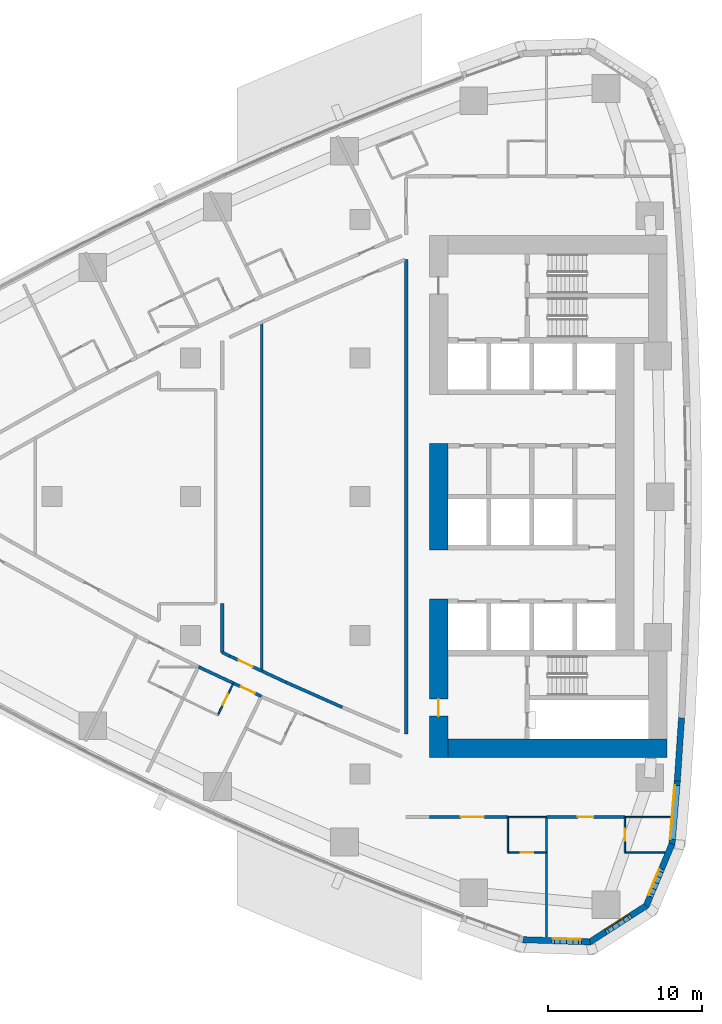
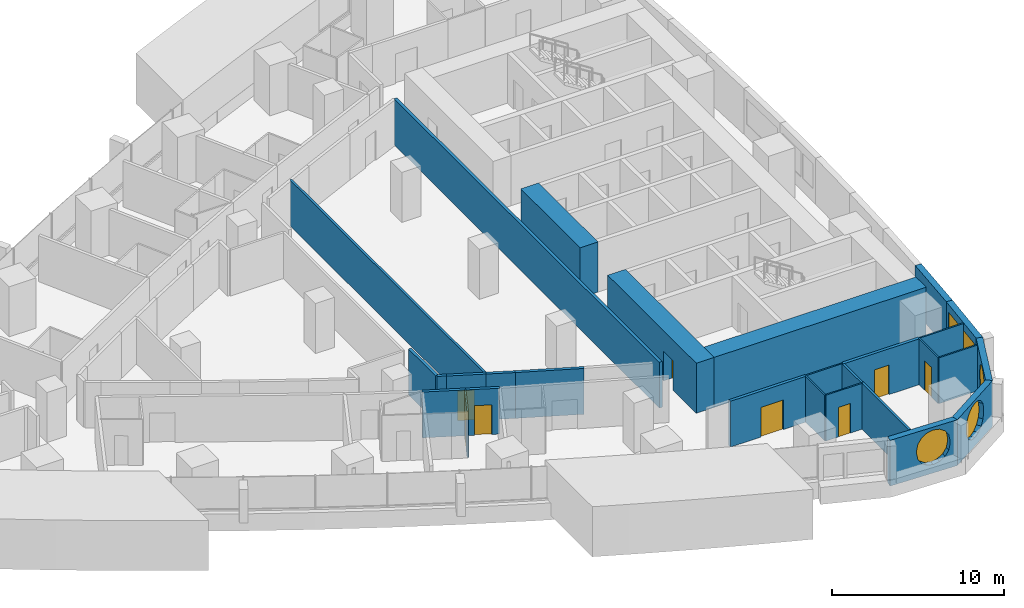
# One storey, part 10 of 19: 26 walls, 8 doors, 4 windows, 12 openings.
"""IFC4 building model written with IfcOpenShell, lengths in metres."""

from ifc_helpers import new_model, si_unit, direction, frame, frame_2d, origin, place, context, subcontext, project, spatial, polyline, rectangle, outline, extrude, material, layer, layer_set, type_object, element, fill, save


model = new_model("IFC4")

# Units and contexts
model_context = context("Model", 3, precision=1e-05, world=origin(), true_north=direction((0.0, 1.0)))
body_context = subcontext(model_context, "Body", "Model", "MODEL_VIEW")
ifc_project = project(units=[si_unit("LENGTHUNIT", "METRE"), si_unit("AREAUNIT", "SQUARE_METRE"), si_unit("VOLUMEUNIT", "CUBIC_METRE"), si_unit("PLANEANGLEUNIT", "RADIAN"), si_unit("MASSUNIT", "GRAM", prefix="KILO")], contexts=[model_context])

# Site, building, storey
site_placement = place(None, origin())
site = spatial("IfcSite", under=ifc_project, at=site_placement, CompositionType="ELEMENT")
building_placement = place(site_placement, origin())
building = spatial("IfcBuilding", under=site, at=building_placement, Name="Ostrand Prow Hotel Tower", CompositionType="ELEMENT")
storey_placement = place(building_placement, frame((0.0, 0.0, 39.60009765625)))
storey = spatial("IfcBuildingStorey", under=building, at=storey_placement, Name="L07", CompositionType="ELEMENT", Elevation=39.60009765625)

# Wall
ifc_material_1 = material(Name="Concrete C80/95", Category="concrete")
ifc_layer_1 = layer(ifc_material_1, 1.199951171875)
ifc_layer_set_1 = layer_set([ifc_layer_1], Name="Concrete C80/95")
wall_type_1 = type_object("IfcWallType", Name="Core wall 1200 C80/95", PredefinedType="SHEAR", material=ifc_layer_set_1)
wall_1_placement = place(storey_placement, frame((50.10009765625, -3.449951171875, 0.0), z_axis=(0.0, 0.0, 1.0), x_axis=(0.0, 1.0, 0.0)))
element("IfcWall", 1, at=wall_1_placement, inside=storey, type_object=wall_type_1, Name="Core wall CW-W-C", PredefinedType="SHEAR", context=body_context, shape_type="SweptSolid", body=[
    extrude(rectangle(XDim=6.89990234375, YDim=1.199951171875, at=frame_2d((3.449951171875, 0.0))), origin(), (0.0, 0.0, 1.0), 3.5498046875),
])

# Wall, opening, door
wall_2_placement = place(storey_placement, frame((50.10009765625, -16.949951171875, 0.0), z_axis=(0.0, 0.0, 1.0), x_axis=(0.0, 1.0, 0.0)))
wall_2 = element("IfcWall", 2, at=wall_2_placement, inside=storey, type_object=wall_type_1, Name="Core wall CW-W-S", PredefinedType="SHEAR", context=body_context, shape_type="SweptSolid", body=[
    extrude(rectangle(XDim=10.300048828125, YDim=1.199951171875, at=frame_2d((5.14990234375, 0.0))), origin(), (0.0, 0.0, 1.0), 3.5498046875),
])
opening_1_placement = place(wall_2_placement, frame((2.699951171875, 0.0, 0.0)))
opening_1 = element("IfcOpeningElement", 3, at=opening_1_placement, cuts=wall_2, Name="Opening FD1", PredefinedType="OPENING", context=body_context, shape_type="SweptSolid", body=[
    extrude(rectangle(XDim=1.10009765625, YDim=2.10009765625, at=frame_2d((0.550048828125, 1.050048828125))), frame((0.0, 0.60986328125, 0.0), z_axis=(0.0, -1.0, 0.0), x_axis=(1.0, 0.0, 0.0)), (0.0, 0.0, 1.0), 1.219970703125),
])
ifc_material_2 = material(Name="Steel fire door", Category="steel")
door_type_1 = type_object("IfcDoorType", Name="Fire door 1100 EI120", OperationType="SINGLE_SWING_RIGHT", PredefinedType="DOOR", material=ifc_material_2)
door_1_placement = place(opening_1_placement, origin())
door_1 = element("IfcDoor", 4, at=door_1_placement, inside=storey, type_object=door_type_1, Name="FIRE DOOR", OperationType="SINGLE_SWING_RIGHT", OverallHeight=2.10009765625, OverallWidth=1.10009765625, PredefinedType="DOOR", context=body_context, shape_type="SweptSolid", body=[
    extrude(rectangle(XDim=1.10009765625, YDim=2.10009765625, at=frame_2d((0.550048828125, 1.050048828125))), frame((0.0, 0.02490234375, 0.0), z_axis=(0.0, -1.0, 0.0), x_axis=(1.0, 0.0, 0.0)), (0.0, 0.0, 1.0), 0.050048828125),
])
fill(opening_1, door_1)

# Walls
wall_3_placement = place(storey_placement, frame((50.699951171875, -16.35009765625, 0.0), z_axis=(0.0, 0.0, 1.0), x_axis=(1.0, 0.0, 0.0)))
element("IfcWall", 5, at=wall_3_placement, inside=storey, type_object=wall_type_1, Name="Core wall CW-S", PredefinedType="SHEAR", context=body_context, shape_type="SweptSolid", body=[
    extrude(rectangle(XDim=14.219970703125, YDim=1.199951171875, at=frame_2d((7.10986328125, 0.0))), origin(), (0.0, 0.0, 1.0), 3.5498046875),
])
ifc_material_3 = material(Name="Plasterboard partition")
ifc_layer_2 = layer(ifc_material_3, 0.10009765625)
ifc_layer_set_2 = layer_set([ifc_layer_2], Name="Plasterboard partition")
wall_type_2 = type_object("IfcWallType", Name="Partition 100 bathroom wall", PredefinedType="PARTITIONING", material=ifc_layer_set_2)
wall_4_placement = place(storey_placement, frame((54.601806640625, -23.10009765625, 0.0), z_axis=(0.0, 0.0, 1.0), x_axis=(0.0, 1.0, 0.0)))
element("IfcWall", 6, at=wall_4_placement, inside=storey, type_object=wall_type_2, Name="BATHROOM WALL", PredefinedType="PARTITIONING", context=body_context, shape_type="SweptSolid", body=[
    extrude(rectangle(XDim=2.300048828125, YDim=0.10009765625, at=frame_2d((1.14990234375, 0.0))), origin(), (0.0, 0.0, 1.0), 3.25),
])

# Wall, opening, door
wall_5_placement = place(storey_placement, frame((57.101806640625, -23.10009765625, 0.0), z_axis=(0.0, 0.0, 1.0), x_axis=(-1.0, 0.0, 0.0)))
wall_5 = element("IfcWall", 7, at=wall_5_placement, inside=storey, type_object=wall_type_2, Name="BATHROOM WALL", PredefinedType="PARTITIONING", context=body_context, shape_type="SweptSolid", body=[
    extrude(rectangle(XDim=2.5, YDim=0.10009765625, at=frame_2d((1.25, 0.0))), origin(), (0.0, 0.0, 1.0), 3.25),
])
opening_2_placement = place(wall_5_placement, frame((0.85009765625, 0.0, 0.0)))
opening_2 = element("IfcOpeningElement", 8, at=opening_2_placement, cuts=wall_5, Name="Opening D2", PredefinedType="OPENING", context=body_context, shape_type="SweptSolid", body=[
    extrude(rectangle(XDim=0.800048828125, YDim=2.10009765625, at=frame_2d((0.39990234375, 1.050048828125))), frame((0.0, 0.06005859375, 0.0), z_axis=(0.0, -1.0, 0.0), x_axis=(1.0, 0.0, 0.0)), (0.0, 0.0, 1.0), 0.1201171875),
])
ifc_material_4 = material(Name="Timber door leaf", Category="wood")
door_type_2 = type_object("IfcDoorType", Name="Bathroom door 800", OperationType="SINGLE_SWING_LEFT", PredefinedType="DOOR", material=ifc_material_4)
door_2_placement = place(opening_2_placement, origin())
door_2 = element("IfcDoor", 9, at=door_2_placement, inside=storey, type_object=door_type_2, Name="DOOR", OperationType="SINGLE_SWING_LEFT", OverallHeight=2.10009765625, OverallWidth=0.800048828125, PredefinedType="DOOR", context=body_context, shape_type="SweptSolid", body=[
    extrude(rectangle(XDim=0.800048828125, YDim=2.10009765625, at=frame_2d((0.39990234375, 1.050048828125))), frame((0.0, 0.02490234375, 0.0), z_axis=(0.0, -1.0, 0.0), x_axis=(1.0, 0.0, 0.0)), (0.0, 0.0, 1.0), 0.050048828125),
])
fill(opening_2, door_2)

# Wall
wall_6_placement = place(storey_placement, frame((64.781494140625, -23.10009765625, 0.0), z_axis=(0.0, 0.0, 1.0), x_axis=(-1.0, 0.0, 0.0)))
element("IfcWall", 10, at=wall_6_placement, inside=storey, type_object=wall_type_2, Name="BATHROOM WALL", PredefinedType="PARTITIONING", context=body_context, shape_type="SweptSolid", body=[
    extrude(rectangle(XDim=2.578125, YDim=0.10009765625, at=frame_2d((1.2890625, 0.0))), origin(), (0.0, 0.0, 1.0), 3.25),
])

# Wall, opening, door
wall_7_placement = place(storey_placement, frame((62.203369140625, -23.10009765625, 0.0), z_axis=(0.0, 0.0, 1.0), x_axis=(0.0, 1.0, 0.0)))
wall_7 = element("IfcWall", 11, at=wall_7_placement, inside=storey, type_object=wall_type_2, Name="BATHROOM WALL", PredefinedType="PARTITIONING", context=body_context, shape_type="SweptSolid", body=[
    extrude(rectangle(XDim=2.300048828125, YDim=0.10009765625, at=frame_2d((1.14990234375, 0.0))), origin(), (0.0, 0.0, 1.0), 3.25),
])
opening_3_placement = place(wall_7_placement, frame((0.75, 0.0, 0.0)))
opening_3 = element("IfcOpeningElement", 12, at=opening_3_placement, cuts=wall_7, Name="Opening D2", PredefinedType="OPENING", context=body_context, shape_type="SweptSolid", body=[
    extrude(rectangle(XDim=0.800048828125, YDim=2.10009765625, at=frame_2d((0.39990234375, 1.050048828125))), frame((0.0, 0.06005859375, 0.0), z_axis=(0.0, -1.0, 0.0), x_axis=(1.0, 0.0, 0.0)), (0.0, 0.0, 1.0), 0.1201171875),
])
door_3_placement = place(opening_3_placement, origin())
door_3 = element("IfcDoor", 13, at=door_3_placement, inside=storey, type_object=door_type_2, Name="DOOR", OperationType="SINGLE_SWING_LEFT", OverallHeight=2.10009765625, OverallWidth=0.800048828125, PredefinedType="DOOR", context=body_context, shape_type="SweptSolid", body=[
    extrude(rectangle(XDim=0.800048828125, YDim=2.10009765625, at=frame_2d((0.39990234375, 1.050048828125))), frame((0.0, 0.02490234375, 0.0), z_axis=(0.0, -1.0, 0.0), x_axis=(1.0, 0.0, 0.0)), (0.0, 0.0, 1.0), 0.050048828125),
])
fill(opening_3, door_3)

wall_8_placement = place(storey_placement, frame((36.764892578125, -12.135986328125, 0.0), z_axis=(0.0, 0.0, 1.0), x_axis=(-0.438229314017, -0.898863208912, 0.0)))
wall_8 = element("IfcWall", 14, at=wall_8_placement, inside=storey, type_object=wall_type_2, Name="BATHROOM WALL", PredefinedType="PARTITIONING", context=body_context, shape_type="SweptSolid", body=[
    extrude(rectangle(XDim=2.27734375, YDim=0.10009765625, at=frame_2d((1.138671875, 0.0))), origin(), (0.0, 0.0, 1.0), 3.25),
])
opening_4_placement = place(wall_8_placement, frame((0.75, 0.0, 0.0)))
opening_4 = element("IfcOpeningElement", 15, at=opening_4_placement, cuts=wall_8, Name="Opening D2", PredefinedType="OPENING", context=body_context, shape_type="SweptSolid", body=[
    extrude(rectangle(XDim=0.800048828125, YDim=2.10009765625, at=frame_2d((0.39990234375, 1.050048828125))), frame((0.0, 0.06005859375, 0.0), z_axis=(0.0, -1.0, 0.0), x_axis=(1.0, 0.0, 0.0)), (0.0, 0.0, 1.0), 0.1201171875),
])
door_4_placement = place(opening_4_placement, origin())
door_4 = element("IfcDoor", 16, at=door_4_placement, inside=storey, type_object=door_type_2, Name="DOOR", OperationType="SINGLE_SWING_LEFT", OverallHeight=2.10009765625, OverallWidth=0.800048828125, PredefinedType="DOOR", context=body_context, shape_type="SweptSolid", body=[
    extrude(rectangle(XDim=0.800048828125, YDim=2.10009765625, at=frame_2d((0.39990234375, 1.050048828125))), frame((0.0, 0.02490234375, 0.0), z_axis=(0.0, -1.0, 0.0), x_axis=(1.0, 0.0, 0.0)), (0.0, 0.0, 1.0), 0.050048828125),
])
fill(opening_4, door_4)

# Walls
wall_9_placement = place(storey_placement, frame((54.601806640625, -20.804931640625, 0.0), z_axis=(0.0, 0.0, 1.0), x_axis=(1.0, 0.0, 0.0)))
element("IfcWall", 17, at=wall_9_placement, inside=storey, type_object=wall_type_2, Name="BATHROOM WALL", PredefinedType="PARTITIONING", context=body_context, shape_type="SweptSolid", body=[
    extrude(rectangle(XDim=2.5, YDim=0.10009765625, at=frame_2d((1.25, 0.0))), origin(), (0.0, 0.0, 1.0), 3.25),
])
wall_10_placement = place(storey_placement, frame((62.203369140625, -20.804931640625, 0.0), z_axis=(0.0, 0.0, 1.0), x_axis=(1.0, 0.0, 0.0)))
element("IfcWall", 18, at=wall_10_placement, inside=storey, type_object=wall_type_2, Name="BATHROOM WALL", PredefinedType="PARTITIONING", context=body_context, shape_type="SweptSolid", body=[
    extrude(rectangle(XDim=2.97119140625, YDim=0.10009765625, at=frame_2d((1.485595703125, 0.0))), origin(), (0.0, 0.0, 1.0), 3.25),
])
ifc_material_5 = material(Name="Plasterboard partition")
ifc_layer_3 = layer(ifc_material_5, 0.14990234375)
ifc_layer_set_3 = layer_set([ifc_layer_3], Name="Plasterboard partition")
wall_type_3 = type_object("IfcWallType", Name="Partition 150 room partition", PredefinedType="PARTITIONING", material=ifc_layer_set_3)
wall_11_placement = place(storey_placement, frame((57.101806640625, -28.5869140625, 0.0), z_axis=(0.0, 0.0, 1.0), x_axis=(0.0, 1.0, 0.0)))
element("IfcWall", 19, at=wall_11_placement, inside=storey, type_object=wall_type_3, Name="ROOM PARTITION", PredefinedType="PARTITIONING", context=body_context, shape_type="SweptSolid", body=[
    extrude(rectangle(XDim=7.786865234375, YDim=0.14990234375, at=frame_2d((3.8935546875, 0.0))), origin(), (0.0, 0.0, 1.0), 3.25),
])
wall_12_placement = place(storey_placement, frame((38.626220703125, -11.323486328125, 0.0), z_axis=(0.0, 0.0, 1.0), x_axis=(0.0, 1.0, 0.0)))
element("IfcWall", 20, at=wall_12_placement, inside=storey, type_object=wall_type_3, Name="ROOM PARTITION", PredefinedType="PARTITIONING", context=body_context, shape_type="SweptSolid", body=[
    extrude(rectangle(XDim=22.64697265625, YDim=0.14990234375, at=frame_2d((11.323486328125, 0.0))), origin(), (0.0, 0.0, 1.0), 3.25),
])

# Wall, opening, door
ifc_material_6 = material(Name="Plasterboard partition")
ifc_layer_4 = layer(ifc_material_6, 0.199951171875)
ifc_layer_set_4 = layer_set([ifc_layer_4], Name="Plasterboard partition")
wall_type_4 = type_object("IfcWallType", Name="Partition 200 corridor wall", PredefinedType="PARTITIONING", material=ifc_layer_set_4)
wall_13_placement = place(storey_placement, frame((34.51220703125, -11.0517578125, 0.0), z_axis=(0.0, 0.0, 1.0), x_axis=(0.905585758423, -0.424163216394, 0.0)))
wall_13 = element("IfcWall", 21, at=wall_13_placement, inside=storey, type_object=wall_type_4, Name="CORRIDOR WALL", PredefinedType="PARTITIONING", context=body_context, shape_type="SweptSolid", body=[
    extrude(rectangle(XDim=4.5068359375, YDim=0.199951171875, at=frame_2d((2.25341796875, 0.0))), origin(), (0.0, 0.0, 1.0), 3.25),
])
opening_5_placement = place(wall_13_placement, frame((3.050048828125, 0.0, 0.0)))
opening_5 = element("IfcOpeningElement", 22, at=opening_5_placement, cuts=wall_13, Name="Opening D1", PredefinedType="OPENING", context=body_context, shape_type="SweptSolid", body=[
    extrude(rectangle(XDim=1.0, YDim=2.10009765625, at=frame_2d((0.5, 1.050048828125))), frame((0.0, 0.10986328125, 0.0), z_axis=(0.0, -1.0, 0.0), x_axis=(1.0, 0.0, 0.0)), (0.0, 0.0, 1.0), 0.219970703125),
])
ifc_material_7 = material(Name="Timber door leaf", Category="wood")
door_type_3 = type_object("IfcDoorType", Name="Guest room door 1000", OperationType="SINGLE_SWING_LEFT", PredefinedType="DOOR", material=ifc_material_7)
door_5_placement = place(opening_5_placement, origin())
door_5 = element("IfcDoor", 23, at=door_5_placement, inside=storey, type_object=door_type_3, Name="DOOR", OperationType="SINGLE_SWING_LEFT", OverallHeight=2.10009765625, OverallWidth=1.0, PredefinedType="DOOR", context=body_context, shape_type="SweptSolid", body=[
    extrude(rectangle(XDim=1.0, YDim=2.10009765625, at=frame_2d((0.5, 1.050048828125))), frame((0.0, 0.02490234375, 0.0), z_axis=(0.0, -1.0, 0.0), x_axis=(1.0, 0.0, 0.0)), (0.0, 0.0, 1.0), 0.050048828125),
])
fill(opening_5, door_5)

wall_14_placement = place(storey_placement, frame((38.626220703125, -11.323486328125, 0.0), z_axis=(0.0, 0.0, 1.0), x_axis=(-0.906372737018, 0.422478948103, 0.0)))
wall_14 = element("IfcWall", 24, at=wall_14_placement, inside=storey, type_object=wall_type_4, Name="CORRIDOR WALL", PredefinedType="PARTITIONING", context=body_context, shape_type="SweptSolid", body=[
    extrude(rectangle(XDim=2.3017578125, YDim=0.199951171875, at=frame_2d((1.15087890625, 0.0))), origin(), (0.0, 0.0, 1.0), 3.25),
])
opening_6_placement = place(wall_14_placement, frame((0.65087890625, 0.0, 0.0)))
opening_6 = element("IfcOpeningElement", 25, at=opening_6_placement, cuts=wall_14, Name="Opening D1R", PredefinedType="OPENING", context=body_context, shape_type="SweptSolid", body=[
    extrude(rectangle(XDim=1.0, YDim=2.10009765625, at=frame_2d((0.5, 1.050048828125))), frame((0.0, 0.10986328125, 0.0), z_axis=(0.0, -1.0, 0.0), x_axis=(1.0, 0.0, 0.0)), (0.0, 0.0, 1.0), 0.219970703125),
])
ifc_material_8 = material(Name="Timber door leaf", Category="wood")
door_type_4 = type_object("IfcDoorType", Name="Guest room door 1000 right", OperationType="SINGLE_SWING_RIGHT", PredefinedType="DOOR", material=ifc_material_8)
door_6_placement = place(opening_6_placement, origin())
door_6 = element("IfcDoor", 26, at=door_6_placement, inside=storey, type_object=door_type_4, Name="DOOR", OperationType="SINGLE_SWING_RIGHT", OverallHeight=2.10009765625, OverallWidth=1.0, PredefinedType="DOOR", context=body_context, shape_type="SweptSolid", body=[
    extrude(rectangle(XDim=1.0, YDim=2.10009765625, at=frame_2d((0.5, 1.050048828125))), frame((0.0, 0.02490234375, 0.0), z_axis=(0.0, -1.0, 0.0), x_axis=(1.0, 0.0, 0.0)), (0.0, 0.0, 1.0), 0.050048828125),
])
fill(opening_6, door_6)

# Walls
wall_15_placement = place(storey_placement, frame((43.85009765625, -13.67724609375, 0.0), z_axis=(0.0, 0.0, 1.0), x_axis=(-0.913986953061, 0.405743576209, 0.0)))
element("IfcWall", 27, at=wall_15_placement, inside=storey, type_object=wall_type_4, Name="CORRIDOR WALL", PredefinedType="PARTITIONING", context=body_context, shape_type="SweptSolid", body=[
    extrude(rectangle(XDim=4.015869140625, YDim=0.199951171875, at=frame_2d((2.0078125, 0.0))), origin(), (0.0, 0.0, 1.0), 3.25),
])
wall_16_placement = place(storey_placement, frame((40.1796875, -12.0478515625, 0.0), z_axis=(0.0, 0.0, 1.0), x_axis=(-0.906314095157, 0.422604733668, 0.0)))
element("IfcWall", 28, at=wall_16_placement, inside=storey, type_object=wall_type_4, Name="CORRIDOR WALL", PredefinedType="PARTITIONING", context=body_context, shape_type="SweptSolid", body=[
    extrude(rectangle(XDim=1.714111328125, YDim=0.199951171875, at=frame_2d((0.85693359375, 0.0))), origin(), (0.0, 0.0, 1.0), 3.25),
])

# Wall, opening, door
wall_17_placement = place(storey_placement, frame((49.5, -20.804931640625, 0.0), z_axis=(0.0, 0.0, 1.0), x_axis=(1.0, 0.0, 0.0)))
wall_17 = element("IfcWall", 29, at=wall_17_placement, inside=storey, type_object=wall_type_4, Name="CORRIDOR WALL", PredefinedType="PARTITIONING", context=body_context, shape_type="SweptSolid", body=[
    extrude(rectangle(XDim=5.0966796875, YDim=0.199951171875, at=frame_2d((2.54833984375, 0.0))), origin(), (0.0, 0.0, 1.0), 3.25),
])
opening_7_placement = place(wall_17_placement, frame((2.04833984375, 0.0, 0.0)))
opening_7 = element("IfcOpeningElement", 30, at=opening_7_placement, cuts=wall_17, Name="Opening D15", PredefinedType="OPENING", context=body_context, shape_type="SweptSolid", body=[
    extrude(rectangle(XDim=1.5, YDim=2.10009765625, at=frame_2d((0.75, 1.050048828125))), frame((0.0, 0.10986328125, 0.0), z_axis=(0.0, -1.0, 0.0), x_axis=(1.0, 0.0, 0.0)), (0.0, 0.0, 1.0), 0.219970703125),
])
ifc_material_9 = material(Name="Timber door leaf", Category="wood")
door_type_5 = type_object("IfcDoorType", Name="Double door 1500", OperationType="DOUBLE_DOOR_SINGLE_SWING", PredefinedType="DOOR", material=ifc_material_9)
door_7_placement = place(opening_7_placement, origin())
door_7 = element("IfcDoor", 31, at=door_7_placement, inside=storey, type_object=door_type_5, Name="DOOR", OperationType="DOUBLE_DOOR_SINGLE_SWING", OverallHeight=2.10009765625, OverallWidth=1.5, PredefinedType="DOOR", context=body_context, shape_type="SweptSolid", body=[
    extrude(rectangle(XDim=1.5, YDim=2.10009765625, at=frame_2d((0.75, 1.050048828125))), frame((0.0, 0.02490234375, 0.0), z_axis=(0.0, -1.0, 0.0), x_axis=(1.0, 0.0, 0.0)), (0.0, 0.0, 1.0), 0.050048828125),
])
fill(opening_7, door_7)

wall_18_placement = place(storey_placement, frame((57.106689453125, -20.804931640625, 0.0), z_axis=(0.0, 0.0, 1.0), x_axis=(1.0, 0.0, 0.0)))
wall_18 = element("IfcWall", 32, at=wall_18_placement, inside=storey, type_object=wall_type_4, Name="CORRIDOR WALL", PredefinedType="PARTITIONING", context=body_context, shape_type="SweptSolid", body=[
    extrude(rectangle(XDim=5.091552734375, YDim=0.199951171875, at=frame_2d((2.5458984375, 0.0))), origin(), (0.0, 0.0, 1.0), 3.25),
])
opening_8_placement = place(wall_18_placement, frame((2.0458984375, 0.0, 0.0)))
opening_8 = element("IfcOpeningElement", 33, at=opening_8_placement, cuts=wall_18, Name="Opening D1", PredefinedType="OPENING", context=body_context, shape_type="SweptSolid", body=[
    extrude(rectangle(XDim=1.0, YDim=2.10009765625, at=frame_2d((0.5, 1.050048828125))), frame((0.0, 0.10986328125, 0.0), z_axis=(0.0, -1.0, 0.0), x_axis=(1.0, 0.0, 0.0)), (0.0, 0.0, 1.0), 0.219970703125),
])
door_8_placement = place(opening_8_placement, origin())
door_8 = element("IfcDoor", 34, at=door_8_placement, inside=storey, type_object=door_type_3, Name="DOOR", OperationType="SINGLE_SWING_LEFT", OverallHeight=2.10009765625, OverallWidth=1.0, PredefinedType="DOOR", context=body_context, shape_type="SweptSolid", body=[
    extrude(rectangle(XDim=1.0, YDim=2.10009765625, at=frame_2d((0.5, 1.050048828125))), frame((0.0, 0.02490234375, 0.0), z_axis=(0.0, -1.0, 0.0), x_axis=(1.0, 0.0, 0.0)), (0.0, 0.0, 1.0), 0.050048828125),
])
fill(opening_8, door_8)

# Walls
wall_19_placement = place(storey_placement, frame((36.054931640625, -10.1083984375, 0.0), z_axis=(0.0, 0.0, 1.0), x_axis=(0.0, 1.0, 0.0)))
element("IfcWall", 35, at=wall_19_placement, inside=storey, type_object=wall_type_4, Name="CORRIDOR WALL", PredefinedType="PARTITIONING", context=body_context, shape_type="SweptSolid", body=[
    extrude(rectangle(XDim=3.158935546875, YDim=0.199951171875, at=frame_2d((1.57958984375, 0.0))), origin(), (0.0, 0.0, 1.0), 3.25),
])
wall_20_placement = place(storey_placement, frame((48.0, 15.4140625, 0.0), z_axis=(0.0, 0.0, 1.0), x_axis=(0.0, -1.0, 0.0)))
element("IfcWall", 36, at=wall_20_placement, inside=storey, type_object=wall_type_4, Name="CORRIDOR WALL", PredefinedType="PARTITIONING", context=body_context, shape_type="SweptSolid", body=[
    extrude(rectangle(XDim=30.828125, YDim=0.199951171875, at=frame_2d((15.4140625, 0.0))), origin(), (0.0, 0.0, 1.0), 3.25),
])
wall_21_placement = place(storey_placement, frame((36.5400390625, -10.35107421875, 0.0), z_axis=(0.0, 0.0, 1.0), x_axis=(-0.894337154042, 0.447393624116, 0.0)))
element("IfcWall", 37, at=wall_21_placement, inside=storey, type_object=wall_type_4, Name="CORRIDOR WALL", PredefinedType="PARTITIONING", context=body_context, shape_type="SweptSolid", body=[
    extrude(rectangle(XDim=0.54248046875, YDim=0.199951171875, at=frame_2d((0.271240234375, 0.0))), origin(), (0.0, 0.0, 1.0), 3.25),
])

# Wall, opening, window
ifc_material_10 = material(Name="Precast concrete C40/50", Category="concrete")
ifc_layer_5 = layer(ifc_material_10, 0.39990234375)
ifc_layer_set_5 = layer_set([ifc_layer_5], Name="Precast concrete C40/50")
wall_type_5 = type_object("IfcWallType", Name="Stone-faced precast wall 400 mm", PredefinedType="NOTDEFINED", material=ifc_layer_set_5)
wall_22_placement = place(storey_placement, frame((55.58984375, -28.767578125, 0.0), z_axis=(0.0, 0.0, 1.0), x_axis=(0.999463576228, -0.032749958686, 0.0)))
wall_22 = element("IfcWall", 38, at=wall_22_placement, inside=storey, type_object=wall_type_5, Name="Stone-faced wall back 2", PredefinedType="NOTDEFINED", context=body_context, shape_type="SweptSolid", body=[
    extrude(outline(polyline([(-0.031494140625, -0.199951171875), (4.40869140625, -0.199951171875), (4.28369140625, 0.199951171875), (0.031494140625, 0.199951171875), (-0.031494140625, -0.199951171875)])), origin(), (0.0, 0.0, 1.0), 3.25),
])
opening_9_placement = place(wall_22_placement, frame((1.724365234375, 0.0, 0.60009765625)))
opening_9 = element("IfcOpeningElement", 39, at=opening_9_placement, cuts=wall_22, Name="Opening WP1", PredefinedType="OPENING", context=body_context, shape_type="SweptSolid", body=[
    extrude(outline(polyline([(0.0, 1.35009765625), (0.083740234375, 1.77099609375), (0.322265625, 2.127685546875), (0.678955078125, 2.3662109375), (1.10009765625, 2.449951171875), (1.52099609375, 2.3662109375), (1.877685546875, 2.127685546875), (2.1162109375, 1.77099609375), (2.199951171875, 1.35009765625), (2.199951171875, 1.10009765625), (2.1162109375, 0.678955078125), (1.877685546875, 0.322265625), (1.52099609375, 0.083740234375), (1.10009765625, 0.0), (0.678955078125, 0.083740234375), (0.322265625, 0.322265625), (0.083740234375, 0.678955078125), (0.0, 1.099853515625), (0.0, 1.35009765625)])), frame((0.0, 0.2099609375, 0.0), z_axis=(0.0, -1.0, 0.0), x_axis=(1.0, 0.0, 0.0)), (0.0, 0.0, 1.0), 0.419921875),
])
ifc_material_11 = material(Name="Insulated glass in bronze frame", Category="glass")
window_type_1 = type_object("IfcWindowType", Name="Round-ended prow window 2200x2450", PartitioningType="SINGLE_PANEL", PredefinedType="WINDOW", material=ifc_material_11)
window_1_placement = place(opening_9_placement, origin())
window_1 = element("IfcWindow", 40, at=window_1_placement, inside=storey, type_object=window_type_1, Name="Window back 2.1", OverallHeight=2.449951171875, OverallWidth=2.199951171875, PartitioningType="SINGLE_PANEL", PredefinedType="WINDOW", context=body_context, shape_type="SweptSolid", body=[
    extrude(outline(polyline([(0.0, 1.35009765625), (0.083740234375, 1.77099609375), (0.322265625, 2.127685546875), (0.678955078125, 2.3662109375), (1.10009765625, 2.449951171875), (1.52099609375, 2.3662109375), (1.877685546875, 2.127685546875), (2.1162109375, 1.77099609375), (2.199951171875, 1.35009765625), (2.199951171875, 1.10009765625), (2.1162109375, 0.678955078125), (1.877685546875, 0.322265625), (1.52099609375, 0.083740234375), (1.10009765625, 0.0), (0.678955078125, 0.083740234375), (0.322265625, 0.322265625), (0.083740234375, 0.678955078125), (0.0, 1.099853515625), (0.0, 1.35009765625)])), frame((0.0, 0.169921875, 0.0), z_axis=(0.0, -1.0, 0.0), x_axis=(1.0, 0.0, 0.0)), (0.0, 0.0, 1.0), 0.06005859375),
])
fill(opening_9, window_1)

wall_23_placement = place(storey_placement, frame((59.93359375, -28.909912109375, 0.0), z_axis=(0.0, 0.0, 1.0), x_axis=(0.840937468718, 0.541132307025, 0.0)))
wall_23 = element("IfcWall", 41, at=wall_23_placement, inside=storey, type_object=wall_type_5, Name="Stone-faced wall back 3", PredefinedType="NOTDEFINED", context=body_context, shape_type="SweptSolid", body=[
    extrude(outline(polyline([(-0.0625, -0.199951171875), (4.40869140625, -0.199951171875), (4.28369140625, 0.199951171875), (0.0625, 0.199951171875), (-0.0625, -0.199951171875)])), origin(), (0.0, 0.0, 1.0), 3.25),
])
opening_10_placement = place(wall_23_placement, frame((1.072998046875, 0.0, 0.60009765625)))
opening_10 = element("IfcOpeningElement", 42, at=opening_10_placement, cuts=wall_23, Name="Opening WP1", PredefinedType="OPENING", context=body_context, shape_type="SweptSolid", body=[
    extrude(outline(polyline([(0.0, 1.35009765625), (0.083740234375, 1.77099609375), (0.322265625, 2.127685546875), (0.678955078125, 2.3662109375), (1.10009765625, 2.449951171875), (1.52099609375, 2.3662109375), (1.877685546875, 2.127685546875), (2.1162109375, 1.77099609375), (2.199951171875, 1.35009765625), (2.199951171875, 1.10009765625), (2.1162109375, 0.678955078125), (1.877685546875, 0.322265625), (1.52099609375, 0.083740234375), (1.10009765625, 0.0), (0.678955078125, 0.083740234375), (0.322265625, 0.322265625), (0.083740234375, 0.678955078125), (0.0, 1.099853515625), (0.0, 1.35009765625)])), frame((0.0, 0.2099609375, 0.0), z_axis=(0.0, -1.0, 0.0), x_axis=(1.0, 0.0, 0.0)), (0.0, 0.0, 1.0), 0.419921875),
])
window_2_placement = place(opening_10_placement, origin())
window_2 = element("IfcWindow", 43, at=window_2_placement, inside=storey, type_object=window_type_1, Name="Window back 3.1", OverallHeight=2.449951171875, OverallWidth=2.199951171875, PartitioningType="SINGLE_PANEL", PredefinedType="WINDOW", context=body_context, shape_type="SweptSolid", body=[
    extrude(outline(polyline([(0.0, 1.35009765625), (0.083740234375, 1.77099609375), (0.322265625, 2.127685546875), (0.678955078125, 2.3662109375), (1.10009765625, 2.449951171875), (1.52099609375, 2.3662109375), (1.877685546875, 2.127685546875), (2.1162109375, 1.77099609375), (2.199951171875, 1.35009765625), (2.199951171875, 1.10009765625), (2.1162109375, 0.678955078125), (1.877685546875, 0.322265625), (1.52099609375, 0.083740234375), (1.10009765625, 0.0), (0.678955078125, 0.083740234375), (0.322265625, 0.322265625), (0.083740234375, 0.678955078125), (0.0, 1.099853515625), (0.0, 1.35009765625)])), frame((0.0, 0.169921875, 0.0), z_axis=(0.0, -1.0, 0.0), x_axis=(1.0, 0.0, 0.0)), (0.0, 0.0, 1.0), 0.06005859375),
])
fill(opening_10, window_2)

wall_24_placement = place(storey_placement, frame((63.58837890625, -26.55810546875, 0.0), z_axis=(0.0, 0.0, 1.0), x_axis=(0.384372042685, 0.923178277908, 0.0)))
wall_24 = element("IfcWall", 44, at=wall_24_placement, inside=storey, type_object=wall_type_5, Name="Stone-faced wall back 4", PredefinedType="NOTDEFINED", context=body_context, shape_type="SweptSolid", body=[
    extrude(outline(polyline([(-0.0625, -0.199951171875), (4.376953125, -0.199951171875), (4.314453125, 0.199951171875), (0.0625, 0.199951171875), (-0.0625, -0.199951171875)])), origin(), (0.0, 0.0, 1.0), 3.25),
])
opening_11_placement = place(wall_24_placement, frame((0.515380859375, 0.0, 0.60009765625)))
opening_11 = element("IfcOpeningElement", 45, at=opening_11_placement, cuts=wall_24, Name="Opening WP1", PredefinedType="OPENING", context=body_context, shape_type="SweptSolid", body=[
    extrude(outline(polyline([(0.0, 1.35009765625), (0.083740234375, 1.77099609375), (0.322265625, 2.127685546875), (0.678955078125, 2.3662109375), (1.10009765625, 2.449951171875), (1.52099609375, 2.3662109375), (1.877685546875, 2.127685546875), (2.1162109375, 1.77099609375), (2.199951171875, 1.35009765625), (2.199951171875, 1.10009765625), (2.1162109375, 0.678955078125), (1.877685546875, 0.322265625), (1.52099609375, 0.083740234375), (1.10009765625, 0.0), (0.678955078125, 0.083740234375), (0.322265625, 0.322265625), (0.083740234375, 0.678955078125), (0.0, 1.099853515625), (0.0, 1.35009765625)])), frame((0.0, 0.2099609375, 0.0), z_axis=(0.0, -1.0, 0.0), x_axis=(1.0, 0.0, 0.0)), (0.0, 0.0, 1.0), 0.419921875),
])
window_3_placement = place(opening_11_placement, origin())
window_3 = element("IfcWindow", 46, at=window_3_placement, inside=storey, type_object=window_type_1, Name="Window back 4.1", OverallHeight=2.449951171875, OverallWidth=2.199951171875, PartitioningType="SINGLE_PANEL", PredefinedType="WINDOW", context=body_context, shape_type="SweptSolid", body=[
    extrude(outline(polyline([(0.0, 1.35009765625), (0.083740234375, 1.77099609375), (0.322265625, 2.127685546875), (0.678955078125, 2.3662109375), (1.10009765625, 2.449951171875), (1.52099609375, 2.3662109375), (1.877685546875, 2.127685546875), (2.1162109375, 1.77099609375), (2.199951171875, 1.35009765625), (2.199951171875, 1.10009765625), (2.1162109375, 0.678955078125), (1.877685546875, 0.322265625), (1.52099609375, 0.083740234375), (1.10009765625, 0.0), (0.678955078125, 0.083740234375), (0.322265625, 0.322265625), (0.083740234375, 0.678955078125), (0.0, 1.099853515625), (0.0, 1.35009765625)])), frame((0.0, 0.169921875, 0.0), z_axis=(0.0, -1.0, 0.0), x_axis=(1.0, 0.0, 0.0)), (0.0, 0.0, 1.0), 0.06005859375),
])
fill(opening_11, window_3)

wall_25_placement = place(storey_placement, frame((65.2587890625, -22.546142578125, 0.0), z_axis=(0.0, 0.0, 1.0), x_axis=(0.083793550906, 0.996483136248, 0.0)))
wall_25 = element("IfcWall", 47, at=wall_25_placement, inside=storey, type_object=wall_type_5, Name="Stone-faced wall back 5", PredefinedType="NOTDEFINED", context=body_context, shape_type="SweptSolid", body=[
    extrude(outline(polyline([(-0.03125, -0.199951171875), (4.10693359375, -0.199951171875), (4.103515625, 0.199951171875), (0.03125, 0.199951171875), (-0.03125, -0.199951171875)])), origin(), (0.0, 0.0, 1.0), 3.25),
])
opening_12_placement = place(wall_25_placement, frame((0.302490234375, 0.0, 0.89990234375)))
opening_12 = element("IfcOpeningElement", 48, at=opening_12_placement, cuts=wall_25, Name="Opening WS3-35", PredefinedType="OPENING", context=body_context, shape_type="SweptSolid", body=[
    extrude(rectangle(XDim=3.5, YDim=1.800048828125, at=frame_2d((1.75, 0.89990234375))), frame((0.0, 0.2099609375, 0.0), z_axis=(0.0, -1.0, 0.0), x_axis=(1.0, 0.0, 0.0)), (0.0, 0.0, 1.0), 0.419921875),
])
ifc_material_12 = material(Name="Insulated glass in bronze frame", Category="glass")
window_type_2 = type_object("IfcWindowType", Name="Strip window 3500x1800", PartitioningType="SINGLE_PANEL", PredefinedType="WINDOW", material=ifc_material_12)
window_4_placement = place(opening_12_placement, origin())
window_4 = element("IfcWindow", 49, at=window_4_placement, inside=storey, type_object=window_type_2, Name="Window back 5.1", OverallHeight=1.800048828125, OverallWidth=3.5, PartitioningType="SINGLE_PANEL", PredefinedType="WINDOW", context=body_context, shape_type="SweptSolid", body=[
    extrude(rectangle(XDim=3.5, YDim=1.800048828125, at=frame_2d((1.75, 0.89990234375))), frame((0.0, 0.169921875, 0.0), z_axis=(0.0, -1.0, 0.0), x_axis=(1.0, 0.0, 0.0)), (0.0, 0.0, 1.0), 0.06005859375),
])
fill(opening_12, window_4)

# Wall
wall_26_placement = place(storey_placement, frame((65.602783203125, -18.455322265625, 0.0), z_axis=(0.0, 0.0, 1.0), x_axis=(0.067087430225, 0.997747100575, 0.0)))
element("IfcWall", 50, at=wall_26_placement, inside=storey, type_object=wall_type_5, Name="Stone-faced wall back 6", PredefinedType="NOTDEFINED", context=body_context, shape_type="SweptSolid", body=[
    extrude(outline(polyline([(-0.001708984375, -0.199951171875), (4.106689453125, -0.199951171875), (4.103271484375, 0.199951171875), (0.001708984375, 0.199951171875), (-0.001708984375, -0.199951171875)])), origin(), (0.0, 0.0, 1.0), 3.25),
])

save(model, "model.ifc")
